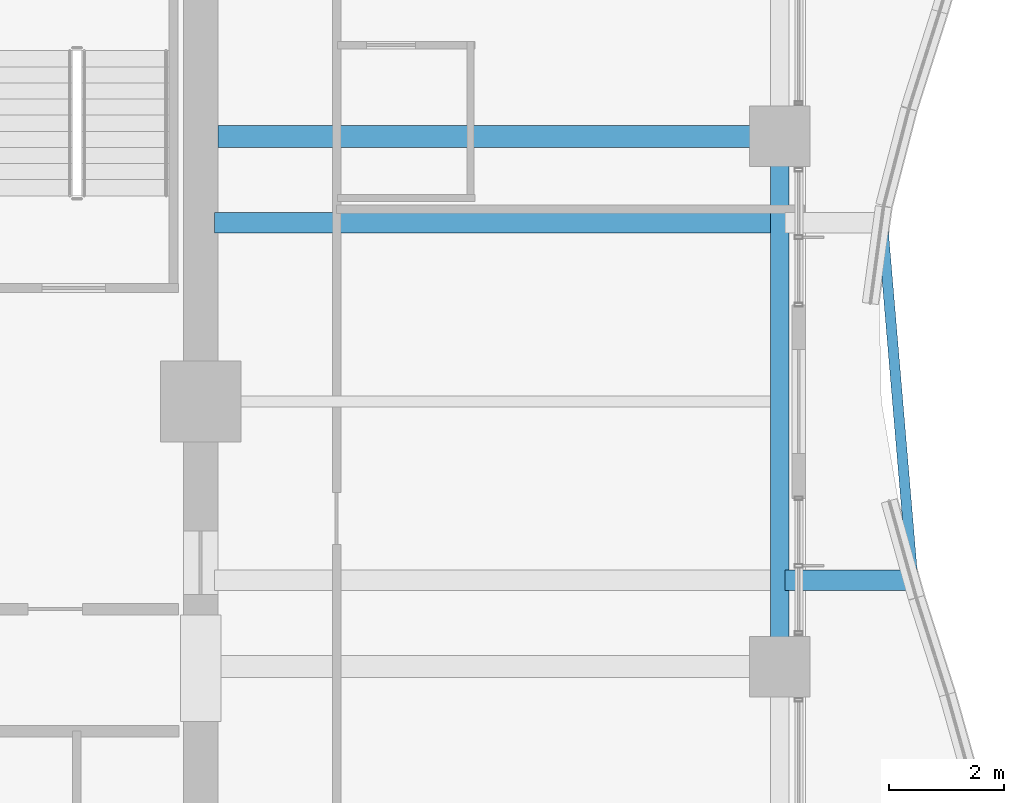
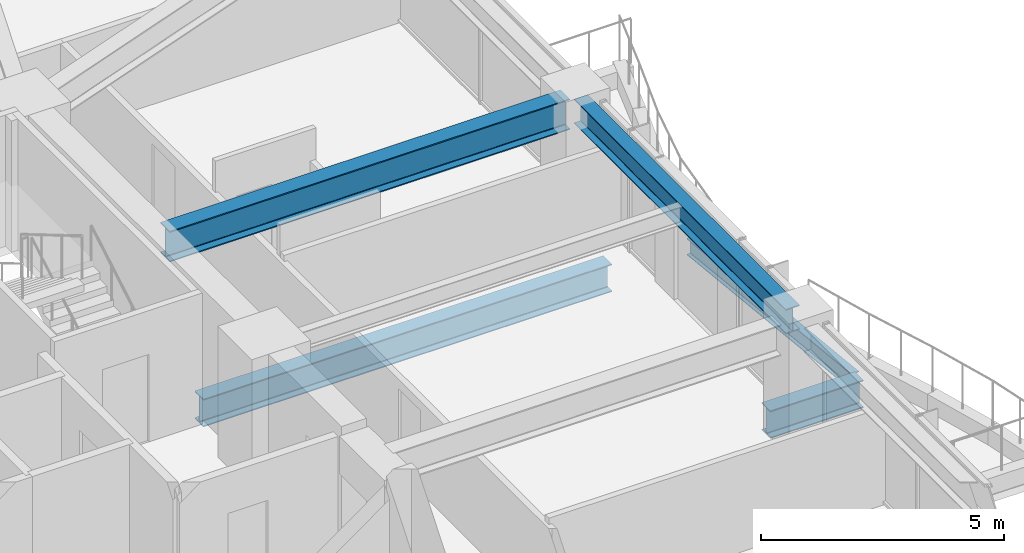
# One storey, part 14 of 38: 5 beams.
"""IFC4 building model written with IfcOpenShell, lengths in metres."""

from ifc_helpers import new_model, si_unit, direction, frame, origin, origin_2d, place, context, subcontext, project, spatial, i_section, extrude, material, material_profile, profile_set, type_object, element, save


model = new_model("IFC4")

# Units and contexts
model_context = context("Model", 3, precision=1e-05, world=origin(), true_north=direction((0.0, 1.0)))
body_context = subcontext(model_context, "Body", "Model", "MODEL_VIEW")
ifc_project = project(units=[si_unit("LENGTHUNIT", "METRE"), si_unit("AREAUNIT", "SQUARE_METRE"), si_unit("VOLUMEUNIT", "CUBIC_METRE"), si_unit("PLANEANGLEUNIT", "RADIAN"), si_unit("MASSUNIT", "GRAM", prefix="KILO")], contexts=[model_context])

# Site, building, storey
site_placement = place(None, origin())
site = spatial("IfcSite", under=ifc_project, at=site_placement, CompositionType="ELEMENT")
building_placement = place(site_placement, origin())
building = spatial("IfcBuilding", under=site, at=building_placement, Name="Kolvaren Belvedere", CompositionType="ELEMENT")
storey_placement = place(building_placement, frame((0.0, 0.0, 101.89990234375)))
storey = spatial("IfcBuildingStorey", under=building, at=storey_placement, Name="L29", CompositionType="ELEMENT", Elevation=101.89990234375)

# Beams
ifc_material_1 = material(Name="Structural steel ASTM A992 Grade 50", Category="steel")
ifc_material_profile_1 = material_profile(ifc_material_1, i_section(OverallWidth=0.35498046875, OverallDepth=0.696044921875, WebThickness=0.015380859375, FlangeThickness=0.02490234375, FilletRadius=0.02197265625, at=origin_2d()), Name="W27X146")
ifc_profile_set_1 = profile_set([ifc_material_profile_1], Name="Structural steel ASTM A992 Grade 50")
beam_type_1 = type_object("IfcBeamType", Name="BM-CANT-BAL", PredefinedType="BEAM", material=ifc_profile_set_1)
beam_1_placement = place(storey_placement, frame((20.044921875, -3.10009765625, -0.56787109375), z_axis=(1.0, 0.0, 0.0), x_axis=(0.0, 1.0, 0.0)))
element("IfcBeam", 1, at=beam_1_placement, inside=storey, type_object=beam_type_1, Name="L29 Planted Balcony Cantilever BAL-E-1", PredefinedType="BEAM", context=body_context, shape_type="SweptSolid", body=[
    extrude(i_section(OverallWidth=0.35498046875, OverallDepth=0.696044921875, WebThickness=0.015380859375, FlangeThickness=0.02490234375, FilletRadius=0.02197265625, at=origin_2d()), origin(), (0.0, 0.0, 1.0), 2.213623046875),
])
ifc_material_2 = material(Name="Structural steel ASTM A992 Grade 50", Category="steel")
ifc_material_profile_2 = material_profile(ifc_material_2, i_section(OverallWidth=0.180908203125, OverallDepth=0.4169921875, WebThickness=0.010986328125, FlangeThickness=0.018310546875, FilletRadius=0.013916015625, at=origin_2d()), Name="W16X57")
ifc_profile_set_2 = profile_set([ifc_material_profile_2], Name="Structural steel ASTM A992 Grade 50")
beam_type_2 = type_object("IfcBeamType", Name="BM-EDGE-W16X57", PredefinedType="BEAM", material=ifc_profile_set_2)
beam_2_placement = place(storey_placement, frame((22.246826171875, -2.96044921875, -0.428466796875), z_axis=(-0.08459587635, 0.996415343973, 0.0), x_axis=(-0.996415343973, -0.08459587635, 0.0)))
element("IfcBeam", 2, at=beam_2_placement, inside=storey, type_object=beam_type_2, Name="L29 Balcony Tip Header Beam BAL-E", PredefinedType="BEAM", context=body_context, shape_type="SweptSolid", body=[
    extrude(i_section(OverallWidth=0.180908203125, OverallDepth=0.4169921875, WebThickness=0.010986328125, FlangeThickness=0.018310546875, FilletRadius=0.013916015625, at=origin_2d()), origin(), (0.0, 0.0, 1.0), 5.942138671875),
])
ifc_material_3 = material(Name="Structural steel ASTM A992 Grade 50", Category="steel")
ifc_material_profile_3 = material_profile(ifc_material_3, i_section(OverallWidth=0.35498046875, OverallDepth=0.696044921875, WebThickness=0.015380859375, FlangeThickness=0.02490234375, FilletRadius=0.02197265625, at=origin_2d()), Name="W27X146")
ifc_profile_set_3 = profile_set([ifc_material_profile_3], Name="Structural steel ASTM A992 Grade 50")
beam_type_3 = type_object("IfcBeamType", Name="BM-GIRD-W27X146", PredefinedType="BEAM", material=ifc_profile_set_3)
beam_3_placement = place(storey_placement, frame((10.139892578125, 3.10009765625, -0.56787109375), z_axis=(1.0, 0.0, 0.0), x_axis=(0.0, 1.0, 0.0)))
element("IfcBeam", 3, at=beam_3_placement, inside=storey, type_object=beam_type_3, Name="L29 Balcony Interior Back-Span Girder BAL-E-2", PredefinedType="BEAM", context=body_context, shape_type="SweptSolid", body=[
    extrude(i_section(OverallWidth=0.35498046875, OverallDepth=0.696044921875, WebThickness=0.015380859375, FlangeThickness=0.02490234375, FilletRadius=0.02197265625, at=origin_2d()), origin(), (0.0, 0.0, 1.0), 9.715087890625),
])
ifc_material_4 = material(Name="Structural steel ASTM A992 Grade 50", Category="steel")
ifc_material_profile_4 = material_profile(ifc_material_4, i_section(OverallWidth=0.381103515625, OverallDepth=0.77294921875, WebThickness=0.0166015625, FlangeThickness=0.027099609375, FilletRadius=0.02392578125, at=origin_2d()), Name="W30X173")
ifc_profile_set_4 = profile_set([ifc_material_profile_4], Name="Structural steel ASTM A992 Grade 50")
beam_type_4 = type_object("IfcBeamType", Name="BM-GIRD-W30X173", PredefinedType="BEAM", material=ifc_profile_set_4)
beam_4_placement = place(storey_placement, frame((10.199951171875, 4.60009765625, 2.693603515625), z_axis=(1.0, 0.0, 0.0), x_axis=(0.0, 1.0, 0.0)))
element("IfcBeam", 4, at=beam_4_placement, inside=storey, type_object=beam_type_4, Name="L29 East Radial Girder P", PredefinedType="BEAM", context=body_context, shape_type="SweptSolid", body=[
    extrude(i_section(OverallWidth=0.381103515625, OverallDepth=0.77294921875, WebThickness=0.0166015625, FlangeThickness=0.027099609375, FilletRadius=0.02392578125, at=origin_2d()), origin(), (0.0, 0.0, 1.0), 9.513916015625),
])
ifc_material_5 = material(Name="Structural steel ASTM A992 Grade 50", Category="steel")
ifc_material_profile_5 = material_profile(ifc_material_5, i_section(OverallWidth=0.324951171875, OverallDepth=0.615966796875, WebThickness=0.013916015625, FlangeThickness=0.021484375, FilletRadius=0.02001953125, at=origin_2d()), Name="W24X117")
ifc_profile_set_5 = profile_set([ifc_material_profile_5], Name="Structural steel ASTM A992 Grade 50")
beam_type_5 = type_object("IfcBeamType", Name="BM-SPAN-W24X117", PredefinedType="SPANDREL", material=ifc_profile_set_5)
beam_5_placement = place(storey_placement, frame((19.949951171875, -4.36376953125, 2.772216796875), z_axis=(0.0, 1.0, 0.0), x_axis=(-1.0, 0.0, 0.0)))
element("IfcBeam", 5, at=beam_5_placement, inside=storey, type_object=beam_type_5, Name="L29 Perimeter Spandrel E2-E3", PredefinedType="SPANDREL", context=body_context, shape_type="SweptSolid", body=[
    extrude(i_section(OverallWidth=0.324951171875, OverallDepth=0.615966796875, WebThickness=0.013916015625, FlangeThickness=0.021484375, FilletRadius=0.02001953125, at=origin_2d()), origin(), (0.0, 0.0, 1.0), 8.7275390625),
])

save(model, "model.ifc")
